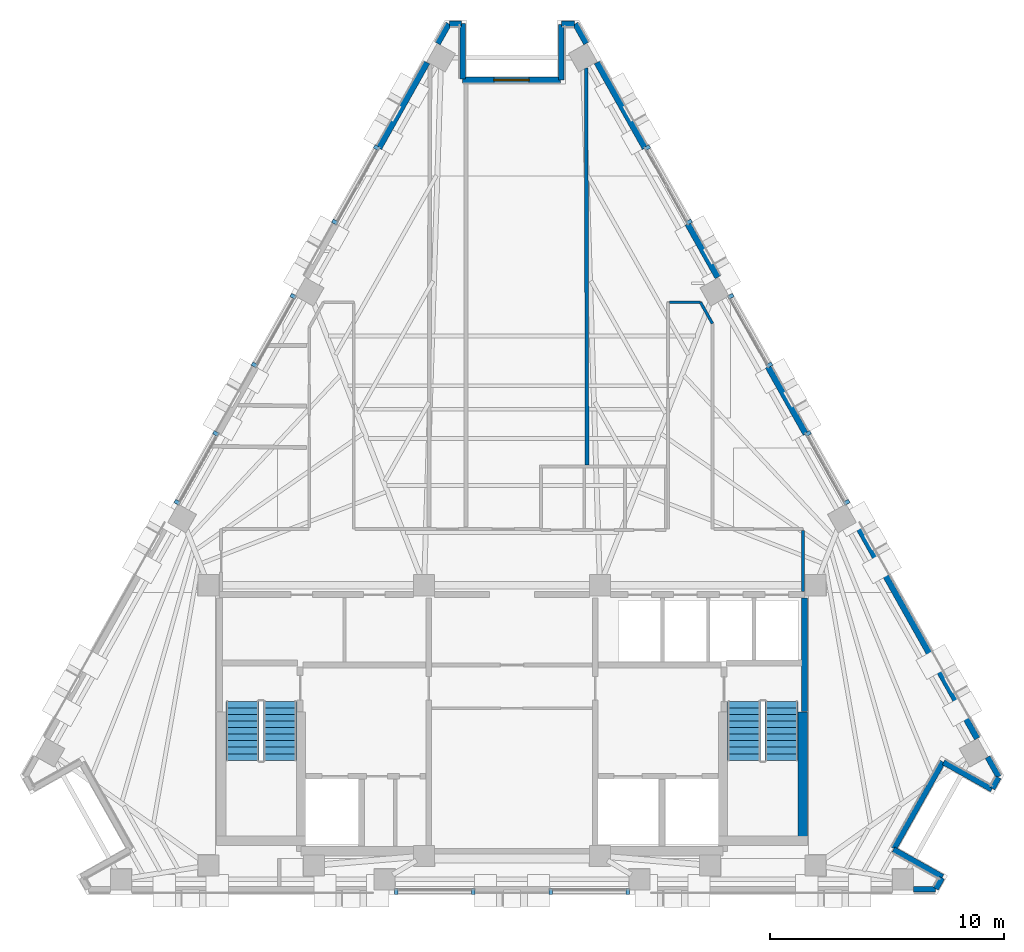
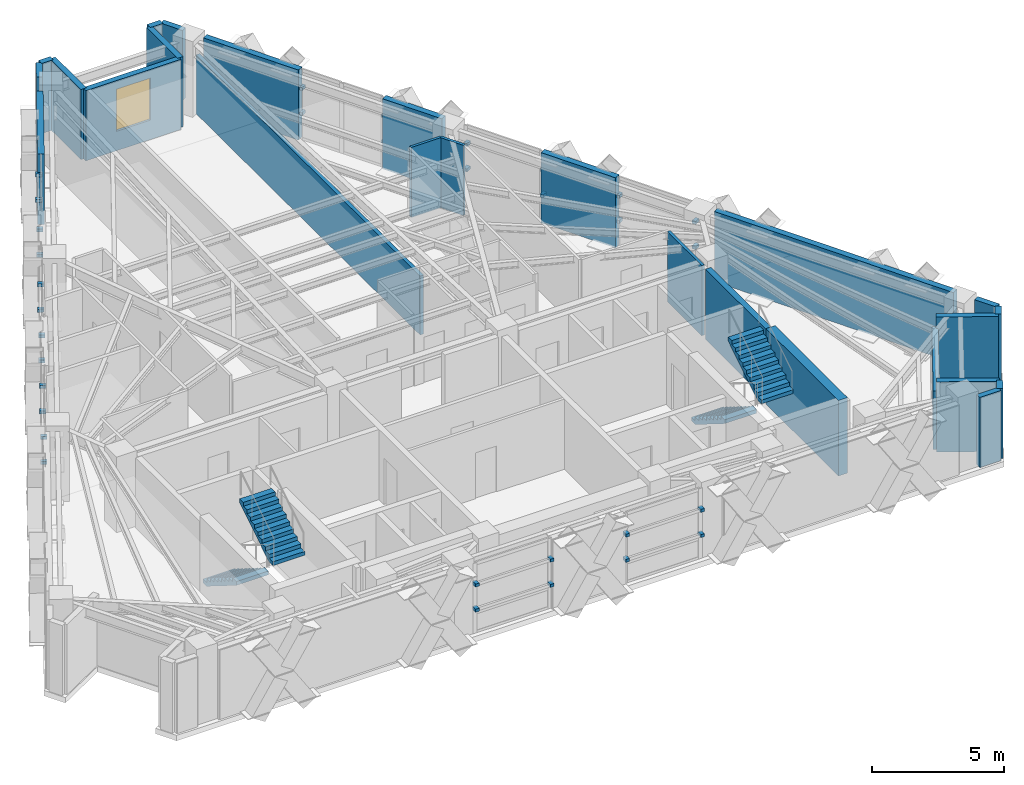
# One storey, part 9 of 12: 32 discrete accessories, 25 walls, 4 stair flights, 1 window, 1 opening, 2 elements without a shape of their own.
"""IFC4 building model written with IfcOpenShell, lengths in metres."""

from ifc_helpers import new_model, si_unit, direction, frame, frame_2d, origin, origin_2d, place, context, subcontext, project, spatial, polyline, rectangle, outline, extrude, material, layer, layer_set, type_object, element, fill, aggregate, save


model = new_model("IFC4")

# Units and contexts
model_context = context("Model", 3, precision=1e-05, world=origin(), true_north=direction((0.0, 1.0)))
body_context = subcontext(model_context, "Body", "Model", "MODEL_VIEW")
ifc_project = project(units=[si_unit("LENGTHUNIT", "METRE"), si_unit("AREAUNIT", "SQUARE_METRE"), si_unit("VOLUMEUNIT", "CUBIC_METRE"), si_unit("PLANEANGLEUNIT", "RADIAN"), si_unit("MASSUNIT", "GRAM", prefix="KILO")], contexts=[model_context])

# Site, building, storey
site_placement = place(None, origin())
site = spatial("IfcSite", under=ifc_project, at=site_placement, CompositionType="ELEMENT")
building_placement = place(site_placement, origin())
building = spatial("IfcBuilding", under=site, at=building_placement, Name="Quenlor Broadcast Tower", CompositionType="ELEMENT")
storey_placement = place(building_placement, frame((0.0, 0.0, 204.39990234375)))
storey = spatial("IfcBuildingStorey", under=building, at=storey_placement, Name="L56", CompositionType="ELEMENT", Elevation=204.39990234375)

# Walls
ifc_material_1 = material(Name="Concrete C50/60", Category="concrete")
ifc_layer_1 = layer(ifc_material_1, 0.39990234375)
ifc_layer_set_1 = layer_set([ifc_layer_1], Name="Core Concrete C50/60 Shear Wall 400")
wall_type_1 = type_object("IfcWallType", Name="Core Concrete C50/60 Shear Wall 400", PredefinedType="SHEAR", material=ifc_layer_set_1)
wall_1_placement = place(storey_placement, frame((12.39990234375, -15.699951171875, 0.0), z_axis=(0.0, 0.0, 1.0), x_axis=(0.0, 1.0, 0.0)))
element("IfcWall", 1, at=wall_1_placement, inside=storey, type_object=wall_type_1, Name="L56 Core Shear Wall WF-E", PredefinedType="SHEAR", context=body_context, shape_type="SweptSolid", body=[
    extrude(rectangle(XDim=5.5, YDim=0.39990234375, at=frame_2d((2.75, 0.0))), origin(), (0.0, 0.0, 1.0), 3.5),
])
ifc_material_2 = material(Name="Concrete C40/50", Category="concrete")
ifc_layer_2 = layer(ifc_material_2, 0.25)
ifc_layer_set_2 = layer_set([ifc_layer_2], Name="Fire Rated Concrete C40/50 Core Wall 250")
wall_type_2 = type_object("IfcWallType", Name="Fire Rated Concrete C40/50 Core Wall 250", PredefinedType="PARTITIONING", material=ifc_layer_set_2)
wall_2_placement = place(storey_placement, frame((12.47998046875, -10.179931640625, 0.0), z_axis=(0.0, 0.0, 1.0), x_axis=(0.0, 1.0, 0.0)))
element("IfcWall", 2, at=wall_2_placement, inside=storey, type_object=wall_type_2, Name="L56 Interior Wall CW-ST2-E2", PredefinedType="PARTITIONING", context=body_context, shape_type="SweptSolid", body=[
    extrude(rectangle(XDim=4.83984375, YDim=0.25, at=frame_2d((2.419921875, 0.0))), origin(), (0.0, 0.0, 1.0), 3.25),
])
ifc_material_3 = material(Name="Gypsum Fireboard Partition", Category="other")
ifc_layer_3 = layer(ifc_material_3, 0.159912109375)
ifc_layer_set_3 = layer_set([ifc_layer_3], Name="Fire Rated Shaft and Corridor Partition 160")
wall_type_3 = type_object("IfcWallType", Name="Fire Rated Shaft and Corridor Partition 160", PredefinedType="PARTITIONING", material=ifc_layer_set_3)
wall_3_placement = place(storey_placement, frame((3.162109375, 17.265380859375, 0.0), z_axis=(0.0, 0.0, 1.0), x_axis=(0.00221901471, -0.999997537984, 0.0)))
element("IfcWall", 3, at=wall_3_placement, inside=storey, type_object=wall_type_3, Name="L56 Interior Wall PW-DV-03", PredefinedType="PARTITIONING", context=body_context, shape_type="SweptSolid", body=[
    extrude(rectangle(XDim=16.943359375, YDim=0.159912109375, at=frame_2d((8.4716796875, 0.0))), origin(), (0.0, 0.0, 1.0), 2.721923828125),
])
ifc_material_4 = material(Name="Gypsum Plasterboard Partition", Category="other")
ifc_layer_4 = layer(ifc_material_4, 0.1201171875)
ifc_layer_set_4 = layer_set([ifc_layer_4], Name="Standard Office Partition 120")
wall_type_4 = type_object("IfcWallType", Name="Standard Office Partition 120", PredefinedType="PARTITIONING", material=ifc_layer_set_4)
wall_4_placement = place(storey_placement, frame((6.7119140625, 7.27001953125, 0.0), z_axis=(0.0, 0.0, 1.0), x_axis=(1.0, 0.0, 0.0)))
element("IfcWall", 4, at=wall_4_placement, inside=storey, type_object=wall_type_4, Name="L56 Interior Wall PW-CR-09", PredefinedType="PARTITIONING", context=body_context, shape_type="SweptSolid", body=[
    extrude(rectangle(XDim=1.328857421875, YDim=0.1201171875, at=frame_2d((0.66455078125, 0.0))), origin(), (0.0, 0.0, 1.0), 3.25),
])
wall_5_placement = place(storey_placement, frame((8.042724609375, 7.266357421875, 0.0), z_axis=(0.0, 0.0, 1.0), x_axis=(0.490384481046, -0.871506202359, 0.0)))
element("IfcWall", 5, at=wall_5_placement, inside=storey, type_object=wall_type_4, Name="L56 Interior Wall PW-CR-10", PredefinedType="PARTITIONING", context=body_context, shape_type="SweptSolid", body=[
    extrude(rectangle(XDim=1.034423828125, YDim=0.1201171875, at=frame_2d((0.51708984375, 0.0))), origin(), (0.0, 0.0, 1.0), 3.25),
])
wall_6_placement = place(storey_placement, frame((12.409912109375, -2.4619140625, 0.0), z_axis=(0.0, 0.0, 1.0), x_axis=(0.0, -1.0, 0.0)))
element("IfcWall", 6, at=wall_6_placement, inside=storey, type_object=wall_type_4, Name="L56 Interior Wall PW-CR-13", PredefinedType="PARTITIONING", context=body_context, shape_type="SweptSolid", body=[
    extrude(rectangle(XDim=2.611083984375, YDim=0.1201171875, at=frame_2d((1.3056640625, 0.0))), origin(), (0.0, 0.0, 1.0), 3.25),
])
ifc_material_5 = material(Name="Precast concrete C40/50", Category="concrete")
ifc_layer_5 = layer(ifc_material_5, 0.239990234375)
ifc_layer_set_5 = layer_set([ifc_layer_5], Name="Terrace Threshold Precast Concrete C40/50 Wall 240")
wall_type_5 = type_object("IfcWallType", Name="Terrace Threshold Precast Concrete C40/50 Wall 240", PredefinedType="STANDARD", material=ifc_layer_set_5)
wall_7_placement = place(storey_placement, frame((18.06591796875, -17.77490234375, 0.0), z_axis=(0.0, 0.0, 1.0), x_axis=(-1.0, 0.0, 0.0)))
element("IfcWall", 7, at=wall_7_placement, inside=storey, type_object=wall_type_5, Name="L56 Exterior Wall L56-SHD-SS0", PredefinedType="STANDARD", context=body_context, shape_type="SweptSolid", body=[
    extrude(rectangle(XDim=0.93505859375, YDim=0.239990234375, at=frame_2d((0.467529296875, 0.0))), origin(), (0.0, 0.0, 1.0), 3.25),
])
for number, where, z_axis, x_axis, name in (
    (8, (2.6953125, 19.1494140625, 0.0), (0.0, 0.0, 1.0), (0.490345412687, -0.87152818443, 0.0), "L56 Exterior Wall L56-SHD-NES0"),
    (9, (20.289794921875, -12.1298828125, 0.0), (0.0, 0.0, 1.0), (0.490345412687, -0.87152818443, 0.0), "L56 Exterior Wall L56-SHD-NES1"),
    (10, (-3.16796875, 18.309326171875, 0.0), (0.0, 0.0, 1.0), (0.490345412687, 0.87152818443, 0.0), "L56 Exterior Wall L56-SHD-NWS1"),
):
    element("IfcWall", number, at=place(storey_placement, frame(where, z_axis=z_axis, x_axis=x_axis)), inside=storey, type_object=wall_type_5, Name=name, PredefinedType="STANDARD", context=body_context, shape_type="SweptSolid", body=[
        extrude(rectangle(XDim=0.9638671875, YDim=0.239990234375, at=frame_2d((0.48193359375, 0.0))), origin(), (0.0, 0.0, 1.0), 3.25),
    ])
wall_8_placement = place(storey_placement, frame((18.365966796875, -17.246826171875, 0.0), z_axis=(0.0, 0.0, 1.0), x_axis=(-0.871597270235, 0.490222600988, 0.0)))
element("IfcWall", 11, at=wall_8_placement, inside=storey, type_object=wall_type_5, Name="L56 Exterior Wall L56-CNR-01", PredefinedType="STANDARD", context=body_context, shape_type="SweptSolid", body=[
    extrude(rectangle(XDim=2.39990234375, YDim=0.239990234375, at=frame_2d((1.199951171875, 0.0))), origin(), (0.0, 0.0, 1.0), 3.25),
])
wall_9_placement = place(storey_placement, frame((16.293701171875, -16.035400390625, 0.0), z_axis=(0.0, 0.0, 1.0), x_axis=(0.49027487746, 0.871567865706, 0.0)))
element("IfcWall", 12, at=wall_9_placement, inside=storey, type_object=wall_type_5, Name="L56 Exterior Wall L56-CNR-02", PredefinedType="STANDARD", context=body_context, shape_type="SweptSolid", body=[
    extrude(rectangle(XDim=4.249755859375, YDim=0.239990234375, at=frame_2d((2.125, 0.0))), origin(), (0.0, 0.0, 1.0), 2.721923828125),
])
wall_10_placement = place(storey_placement, frame((18.412109375, -12.351318359375, 0.0), z_axis=(0.0, 0.0, 1.0), x_axis=(0.871578299909, -0.490256327984, 0.0)))
element("IfcWall", 13, at=wall_10_placement, inside=storey, type_object=wall_type_5, Name="L56 Exterior Wall L56-CNR-03", PredefinedType="STANDARD", context=body_context, shape_type="SweptSolid", body=[
    extrude(rectangle(XDim=2.35986328125, YDim=0.239990234375, at=frame_2d((1.179931640625, 0.0))), origin(), (0.0, 0.0, 1.0), 3.25),
])
wall_11_placement = place(storey_placement, frame((20.48876953125, -13.473388671875, 0.0), z_axis=(0.0, 0.0, 1.0), x_axis=(0.490133374867, 0.87164744871, 0.0)))
element("IfcWall", 14, at=wall_11_placement, inside=storey, type_object=wall_type_5, Name="L56 Exterior Wall L56-CNR-04", PredefinedType="STANDARD", context=body_context, shape_type="SweptSolid", body=[
    extrude(rectangle(XDim=0.5439453125, YDim=0.239990234375, at=frame_2d((0.27197265625, 0.0))), origin(), (0.0, 0.0, 1.0), 3.25),
])
wall_12_placement = place(storey_placement, frame((2.658447265625, 19.152099609375, 0.0), z_axis=(0.0, 0.0, 1.0), x_axis=(-1.0, 0.0, 0.0)))
element("IfcWall", 15, at=wall_12_placement, inside=storey, type_object=wall_type_5, Name="L56 Exterior Wall L56-CNR-06", PredefinedType="STANDARD", context=body_context, shape_type="SweptSolid", body=[
    extrude(rectangle(XDim=0.55224609375, YDim=0.239990234375, at=frame_2d((0.276123046875, 0.0))), origin(), (0.0, 0.0, 1.0), 3.25),
])
wall_13_placement = place(storey_placement, frame((2.106201171875, 19.112060546875, 0.0), z_axis=(0.0, 0.0, 1.0), x_axis=(0.0, -1.0, 0.0)))
element("IfcWall", 16, at=wall_13_placement, inside=storey, type_object=wall_type_5, Name="L56 Exterior Wall L56-CNR-07", PredefinedType="STANDARD", context=body_context, shape_type="SweptSolid", body=[
    extrude(rectangle(XDim=2.360107421875, YDim=0.239990234375, at=frame_2d((1.18017578125, 0.0))), origin(), (0.0, 0.0, 1.0), 3.25),
])

# Wall, opening, window
wall_14_placement = place(storey_placement, frame((2.066162109375, 16.751953125, 0.0), z_axis=(0.0, 0.0, 1.0), x_axis=(-1.0, 0.0, 0.0)))
wall_14 = element("IfcWall", 17, at=wall_14_placement, inside=storey, type_object=wall_type_5, Name="L56 Exterior Wall L56-CNR-08", PredefinedType="STANDARD", context=body_context, shape_type="SweptSolid", body=[
    extrude(rectangle(XDim=4.17236328125, YDim=0.239990234375, at=frame_2d((2.086181640625, 0.0))), origin(), (0.0, 0.0, 1.0), 3.25),
])
opening_placement = place(wall_14_placement, frame((1.3359375, 0.0, 0.89990234375)))
opening = element("IfcOpeningElement", 18, at=opening_placement, cuts=wall_14, Name="Opening WN-3", PredefinedType="OPENING", context=body_context, shape_type="SweptSolid", body=[
    extrude(rectangle(XDim=1.5, YDim=1.949951171875, at=frame_2d((0.75, 0.97509765625))), frame((0.0, 0.1298828125, 0.0), z_axis=(0.0, -1.0, 0.0), x_axis=(1.0, 0.0, 0.0)), (0.0, 0.0, 1.0), 0.260009765625),
])
ifc_material_6 = material(Name="Thermally Broken Aluminium and Low-E Glass", Category="aluminium")
window_type = type_object("IfcWindowType", Name="Upper Tower Facade Window 1500x1950", PartitioningType="SINGLE_PANEL", PredefinedType="WINDOW", material=ifc_material_6)
window_placement = place(opening_placement, origin())
window = element("IfcWindow", 19, at=window_placement, inside=storey, type_object=window_type, Name="L56 Corner Chamfer Window 8", OverallHeight=1.949951171875, OverallWidth=1.5, PartitioningType="SINGLE_PANEL", PredefinedType="WINDOW", context=body_context, shape_type="SweptSolid", body=[
    extrude(rectangle(XDim=1.5, YDim=1.949951171875, at=frame_2d((0.75, 0.97509765625))), frame((0.0, 0.030029296875, 0.0), z_axis=(0.0, -1.0, 0.0), x_axis=(1.0, 0.0, 0.0)), (0.0, 0.0, 1.0), 0.06005859375),
])
fill(opening, window)

# Walls
wall_15_placement = place(storey_placement, frame((-2.106201171875, 16.7919921875, 0.0), z_axis=(0.0, 0.0, 1.0), x_axis=(0.0, 1.0, 0.0)))
element("IfcWall", 20, at=wall_15_placement, inside=storey, type_object=wall_type_5, Name="L56 Exterior Wall L56-CNR-09", PredefinedType="STANDARD", context=body_context, shape_type="SweptSolid", body=[
    extrude(rectangle(XDim=2.360107421875, YDim=0.239990234375, at=frame_2d((1.18017578125, 0.0))), origin(), (0.0, 0.0, 1.0), 3.25),
])
wall_16_placement = place(storey_placement, frame((-2.146240234375, 19.152099609375, 0.0), z_axis=(0.0, 0.0, 1.0), x_axis=(-1.0, 0.0, 0.0)))
element("IfcWall", 21, at=wall_16_placement, inside=storey, type_object=wall_type_5, Name="L56 Exterior Wall L56-CNR-10", PredefinedType="STANDARD", context=body_context, shape_type="SweptSolid", body=[
    extrude(rectangle(XDim=0.51220703125, YDim=0.239990234375, at=frame_2d((0.256103515625, 0.0))), origin(), (0.0, 0.0, 1.0), 3.25),
])
wall_17_placement = place(storey_placement, frame((18.081298828125, -17.752685546875, 0.0), z_axis=(0.0, 0.0, 1.0), x_axis=(0.490582915772, 0.871394516136, 0.0)))
element("IfcWall", 22, at=wall_17_placement, inside=storey, type_object=wall_type_5, Name="L56 Exterior Wall L56-CNR-18", PredefinedType="STANDARD", context=body_context, shape_type="SweptSolid", body=[
    extrude(rectangle(XDim=0.54052734375, YDim=0.239990234375, at=frame_2d((0.270263671875, 0.0))), origin(), (0.0, 0.0, 1.0), 3.25),
])
ifc_material_7 = material(Name="Precast concrete C40/50", Category="concrete")
ifc_layer_6 = layer(ifc_material_7, 0.260009765625)
ifc_layer_set_6 = layer_set([ifc_layer_6], Name="Terracotta Precast Concrete C40/50 Upper Wall 260")
wall_type_6 = type_object("IfcWallType", Name="Terracotta Precast Concrete C40/50 Upper Wall 260", PredefinedType="STANDARD", material=ifc_layer_set_6)
wall_18_placement = place(storey_placement, frame((3.623779296875, 17.498779296875, 0.0), z_axis=(0.0, 0.0, 1.0), x_axis=(0.490275081837, -0.87156775074, 0.0)))
element("IfcWall", 23, at=wall_18_placement, inside=storey, type_object=wall_type_6, Name="L56 Exterior Wall L56-NEA-SP1", PredefinedType="STANDARD", context=body_context, shape_type="SweptSolid", body=[
    extrude(rectangle(XDim=4.18701171875, YDim=0.260009765625, at=frame_2d((2.093505859375, 0.0))), origin(), (0.0, 0.0, 1.0), 3.25),
])
wall_19_placement = place(storey_placement, frame((7.493896484375, 10.618408203125, 0.0), z_axis=(0.0, 0.0, 1.0), x_axis=(0.490301099378, -0.871553114818, 0.0)))
element("IfcWall", 24, at=wall_19_placement, inside=storey, type_object=wall_type_6, Name="L56 Exterior Wall L56-NEA-SP2", PredefinedType="STANDARD", context=body_context, shape_type="SweptSolid", body=[
    extrude(rectangle(XDim=2.6171875, YDim=0.260009765625, at=frame_2d((1.30859375, 0.0))), origin(), (0.0, 0.0, 1.0), 3.25),
])
wall_20_placement = place(storey_placement, frame((14.6708984375, -2.140380859375, 0.0), z_axis=(0.0, 0.0, 1.0), x_axis=(0.490246958575, -0.871583570066, 0.0)))
element("IfcWall", 25, at=wall_20_placement, inside=storey, type_object=wall_type_6, Name="L56 Exterior Wall L56-EW-NEC", PredefinedType="STANDARD", context=body_context, shape_type="SweptSolid", body=[
    extrude(rectangle(XDim=10.551513671875, YDim=0.260009765625, at=frame_2d((5.27587890625, 0.0))), origin(), (0.0, 0.0, 1.0), 3.25),
])
wall_21_placement = place(storey_placement, frame((10.923095703125, 4.522216796875, 0.0), z_axis=(0.0, 0.0, 1.0), x_axis=(0.490264765862, -0.871573553611, 0.0)))
element("IfcWall", 26, at=wall_21_placement, inside=storey, type_object=wall_type_6, Name="L56 Exterior Wall L56-NE-SP1", PredefinedType="STANDARD", context=body_context, shape_type="SweptSolid", body=[
    extrude(rectangle(XDim=3.287109375, YDim=0.260009765625, at=frame_2d((1.6435546875, 0.0))), origin(), (0.0, 0.0, 1.0), 3.25),
])
wall_22_placement = place(storey_placement, frame((-5.676513671875, 13.849609375, 0.0), z_axis=(0.0, 0.0, 1.0), x_axis=(0.490275081837, 0.87156775074, 0.0)))
element("IfcWall", 27, at=wall_22_placement, inside=storey, type_object=wall_type_6, Name="L56 Exterior Wall L56-NWC-SP2", PredefinedType="STANDARD", context=body_context, shape_type="SweptSolid", body=[
    extrude(rectangle(XDim=4.18701171875, YDim=0.260009765625, at=frame_2d((2.093505859375, 0.0))), origin(), (0.0, 0.0, 1.0), 3.25),
])

# Stair, stair flights
ifc_material_8 = material(Name="Precast concrete C40/50", Category="concrete")
stair_type = type_object("IfcStairType", Name="Precast Concrete C40/50 Dogleg Stair H350", PredefinedType="HALF_TURN_STAIR", material=ifc_material_8)
stair_1_placement = place(storey_placement, origin())
stair_1 = element("IfcStair", 28, at=stair_1_placement, inside=storey, type_object=stair_type, Name="L56 West Core Fire-Isolated Exit Stair ST-1", PredefinedType="HALF_TURN_STAIR")
ifc_material_9 = material(Name="Precast concrete C40/50", Category="concrete")
ifc_layer_7 = layer(ifc_material_9, 0.159912109375)
ifc_layer_set_7 = layer_set([ifc_layer_7], Name="Precast Concrete C40/50 Stair Flight H350")
stair_flight_type = type_object("IfcStairFlightType", Name="Precast Concrete C40/50 Stair Flight H350", PredefinedType="STRAIGHT", material=ifc_layer_set_7)
stair_flight_1_placement = place(storey_placement, frame((-11.5, -9.75, 0.0), z_axis=(0.0, 0.0, 1.0), x_axis=(0.0, -1.0, 0.0)))
stair_flight_1 = element("IfcStairFlight", 29, at=stair_flight_1_placement, type_object=stair_flight_type, Name="ST-1 flight 1", NumberOfRisers=10, NumberOfTreads=9, PredefinedType="STRAIGHT", RiserHeight=0.175, TreadLength=0.28, context=body_context, shape_type="SweptSolid", body=[
    extrude(outline(polyline([(0.0, 0.0), (0.0, 0.175048828125), (0.280029296875, 0.175048828125), (0.280029296875, 0.35009765625), (0.56005859375, 0.35009765625), (0.56005859375, 0.52490234375), (0.840087890625, 0.52490234375), (0.840087890625, 0.699951171875), (1.1201171875, 0.699951171875), (1.1201171875, 0.875), (1.39990234375, 0.875), (1.39990234375, 1.050048828125), (1.679931640625, 1.050048828125), (1.679931640625, 1.22509765625), (1.9599609375, 1.22509765625), (1.9599609375, 1.39990234375), (2.239990234375, 1.39990234375), (2.239990234375, 1.574951171875), (2.52001953125, 1.574951171875), (2.52001953125, 1.75), (2.52001953125, 1.398193359375), (0.28271484375, 0.0), (0.0, 0.0)])), frame((0.0, 0.699951171875, 0.0), z_axis=(0.0, -1.0, 0.0), x_axis=(1.0, 0.0, 0.0)), (0.0, 0.0, 1.0), 1.39990234375),
])
stair_flight_2_placement = place(storey_placement, frame((-9.89990234375, -12.27001953125, 1.75), z_axis=(0.0, 0.0, 1.0), x_axis=(0.0, 1.0, 0.0)))
stair_flight_2 = element("IfcStairFlight", 30, at=stair_flight_2_placement, type_object=stair_flight_type, Name="ST-1 flight 2", NumberOfRisers=10, NumberOfTreads=9, PredefinedType="STRAIGHT", RiserHeight=0.175, TreadLength=0.28, context=body_context, shape_type="SweptSolid", body=[
    extrude(outline(polyline([(0.0, 0.0), (0.0, 0.175048828125), (0.280029296875, 0.175048828125), (0.280029296875, 0.35009765625), (0.56005859375, 0.35009765625), (0.56005859375, 0.52490234375), (0.840087890625, 0.52490234375), (0.840087890625, 0.699951171875), (1.1201171875, 0.699951171875), (1.1201171875, 0.875), (1.39990234375, 0.875), (1.39990234375, 1.050048828125), (1.679931640625, 1.050048828125), (1.679931640625, 1.22509765625), (1.9599609375, 1.22509765625), (1.9599609375, 1.39990234375), (2.239990234375, 1.39990234375), (2.239990234375, 1.574951171875), (2.52001953125, 1.574951171875), (2.52001953125, 1.75), (2.52001953125, 1.398193359375), (0.28271484375, 0.0), (0.0, 0.0)])), frame((0.0, 0.699951171875, 0.0), z_axis=(0.0, -1.0, 0.0), x_axis=(1.0, 0.0, 0.0)), (0.0, 0.0, 1.0), 1.39990234375),
])
aggregate(stair_1, [stair_flight_1, stair_flight_2])

stair_2_placement = place(storey_placement, origin())
stair_2 = element("IfcStair", 31, at=stair_2_placement, inside=storey, type_object=stair_type, Name="L56 East Core Fire-Isolated Exit Stair ST-2", PredefinedType="HALF_TURN_STAIR")
stair_flight_3_placement = place(storey_placement, frame((9.89990234375, -9.75, 0.0), z_axis=(0.0, 0.0, 1.0), x_axis=(0.0, -1.0, 0.0)))
stair_flight_3 = element("IfcStairFlight", 32, at=stair_flight_3_placement, type_object=stair_flight_type, Name="ST-2 flight 1", NumberOfRisers=10, NumberOfTreads=9, PredefinedType="STRAIGHT", RiserHeight=0.175, TreadLength=0.28, context=body_context, shape_type="SweptSolid", body=[
    extrude(outline(polyline([(0.0, 0.0), (0.0, 0.175048828125), (0.280029296875, 0.175048828125), (0.280029296875, 0.35009765625), (0.56005859375, 0.35009765625), (0.56005859375, 0.52490234375), (0.840087890625, 0.52490234375), (0.840087890625, 0.699951171875), (1.1201171875, 0.699951171875), (1.1201171875, 0.875), (1.39990234375, 0.875), (1.39990234375, 1.050048828125), (1.679931640625, 1.050048828125), (1.679931640625, 1.22509765625), (1.9599609375, 1.22509765625), (1.9599609375, 1.39990234375), (2.239990234375, 1.39990234375), (2.239990234375, 1.574951171875), (2.52001953125, 1.574951171875), (2.52001953125, 1.75), (2.52001953125, 1.398193359375), (0.28271484375, 0.0), (0.0, 0.0)])), frame((0.0, 0.699951171875, 0.0), z_axis=(0.0, -1.0, 0.0), x_axis=(1.0, 0.0, 0.0)), (0.0, 0.0, 1.0), 1.39990234375),
])
stair_flight_4_placement = place(storey_placement, frame((11.5, -12.27001953125, 1.75), z_axis=(0.0, 0.0, 1.0), x_axis=(0.0, 1.0, 0.0)))
stair_flight_4 = element("IfcStairFlight", 33, at=stair_flight_4_placement, type_object=stair_flight_type, Name="ST-2 flight 2", NumberOfRisers=10, NumberOfTreads=9, PredefinedType="STRAIGHT", RiserHeight=0.175, TreadLength=0.28, context=body_context, shape_type="SweptSolid", body=[
    extrude(outline(polyline([(0.0, 0.0), (0.0, 0.175048828125), (0.280029296875, 0.175048828125), (0.280029296875, 0.35009765625), (0.56005859375, 0.35009765625), (0.56005859375, 0.52490234375), (0.840087890625, 0.52490234375), (0.840087890625, 0.699951171875), (1.1201171875, 0.699951171875), (1.1201171875, 0.875), (1.39990234375, 0.875), (1.39990234375, 1.050048828125), (1.679931640625, 1.050048828125), (1.679931640625, 1.22509765625), (1.9599609375, 1.22509765625), (1.9599609375, 1.39990234375), (2.239990234375, 1.39990234375), (2.239990234375, 1.574951171875), (2.52001953125, 1.574951171875), (2.52001953125, 1.75), (2.52001953125, 1.398193359375), (0.28271484375, 0.0), (0.0, 0.0)])), frame((0.0, 0.699951171875, 0.0), z_axis=(0.0, -1.0, 0.0), x_axis=(1.0, 0.0, 0.0)), (0.0, 0.0, 1.0), 1.39990234375),
])
aggregate(stair_2, [stair_flight_3, stair_flight_4])

# Discrete accessories
ifc_material_10 = material(Name="Aluminium 6063-T6", Category="aluminium")
discrete_accessory_type = type_object("IfcDiscreteAccessoryType", Name="Stainless Mullion Baguette Support Bracket", PredefinedType="BRACKET", material=ifc_material_10)
for number, where, z_axis, x_axis, name in (
    (34, (4.933837890625, -17.864990234375, 1.10009765625), (0.0, 0.0, 1.0), (-1.0, 0.0, 0.0), "L56 Baguette Mullion Bracket 1.1"),
    (35, (1.655029296875, -17.864990234375, 1.10009765625), (0.0, 0.0, 1.0), (-1.0, 0.0, 0.0), "L56 Baguette Mullion Bracket 1.2"),
    (36, (4.933837890625, -17.864990234375, 2.27001953125), (0.0, 0.0, 1.0), (-1.0, 0.0, 0.0), "L56 Baguette Mullion Bracket 2.1"),
    (37, (1.655029296875, -17.864990234375, 2.27001953125), (0.0, 0.0, 1.0), (-1.0, 0.0, 0.0), "L56 Baguette Mullion Bracket 2.2"),
    (38, (-1.655029296875, -17.864990234375, 1.10009765625), (0.0, 0.0, 1.0), (-1.0, 0.0, 0.0), "L56 Baguette Mullion Bracket 1.1"),
    (39, (-4.933837890625, -17.864990234375, 1.10009765625), (0.0, 0.0, 1.0), (-1.0, 0.0, 0.0), "L56 Baguette Mullion Bracket 1.2"),
    (40, (-1.655029296875, -17.864990234375, 2.27001953125), (0.0, 0.0, 1.0), (-1.0, 0.0, 0.0), "L56 Baguette Mullion Bracket 2.1"),
    (41, (-4.933837890625, -17.864990234375, 2.27001953125), (0.0, 0.0, 1.0), (-1.0, 0.0, 0.0), "L56 Baguette Mullion Bracket 2.2"),
    (42, (5.771484375, 13.864013671875, 1.10009765625), (0.0, 0.0, 1.0), (0.490260425147, -0.871575995272, 0.0), "L56 Baguette Mullion Bracket 1.1"),
    (43, (7.555908203125, 10.692138671875, 1.10009765625), (0.0, 0.0, 1.0), (0.490260425147, -0.871575995272, 0.0), "L56 Baguette Mullion Bracket 1.2"),
    (44, (5.771484375, 13.864013671875, 2.27001953125), (0.0, 0.0, 1.0), (0.490260425147, -0.871575995272, 0.0), "L56 Baguette Mullion Bracket 2.1"),
    (45, (7.555908203125, 10.692138671875, 2.27001953125), (0.0, 0.0, 1.0), (0.490260425147, -0.871575995272, 0.0), "L56 Baguette Mullion Bracket 2.2"),
    (46, (9.33544921875, 7.5283203125, 1.10009765625), (0.0, 0.0, 1.0), (0.49025738277, -0.871577706599, 0.0), "L56 Baguette Mullion Bracket 1.1"),
    (47, (10.98486328125, 4.595947265625, 1.10009765625), (0.0, 0.0, 1.0), (0.49025738277, -0.871577706599, 0.0), "L56 Baguette Mullion Bracket 1.2"),
    (48, (9.33544921875, 7.5283203125, 2.27001953125), (0.0, 0.0, 1.0), (0.49025738277, -0.871577706599, 0.0), "L56 Baguette Mullion Bracket 2.1"),
    (49, (10.98486328125, 4.595947265625, 2.27001953125), (0.0, 0.0, 1.0), (0.49025738277, -0.871577706599, 0.0), "L56 Baguette Mullion Bracket 2.2"),
    (50, (12.6298828125, 1.671630859375, 1.10009765625), (0.0, 0.0, 1.0), (0.49025738277, -0.871577706599, 0.0), "L56 Baguette Mullion Bracket 1.1"),
    (51, (14.279296875, -1.260498046875, 1.10009765625), (0.0, 0.0, 1.0), (0.49025738277, -0.871577706599, 0.0), "L56 Baguette Mullion Bracket 1.2"),
    (52, (12.6298828125, 1.671630859375, 2.27001953125), (0.0, 0.0, 1.0), (0.49025738277, -0.871577706599, 0.0), "L56 Baguette Mullion Bracket 2.1"),
    (53, (14.279296875, -1.260498046875, 2.27001953125), (0.0, 0.0, 1.0), (0.49025738277, -0.871577706599, 0.0), "L56 Baguette Mullion Bracket 2.2"),
    (54, (-7.555908203125, 10.692138671875, 1.10009765625), (0.0, 0.0, 1.0), (0.490260425147, 0.871575995272, 0.0), "L56 Baguette Mullion Bracket 1.1"),
    (55, (-5.771484375, 13.864013671875, 1.10009765625), (0.0, 0.0, 1.0), (0.490260425147, 0.871575995272, 0.0), "L56 Baguette Mullion Bracket 1.2"),
    (56, (-7.555908203125, 10.692138671875, 2.27001953125), (0.0, 0.0, 1.0), (0.490260425147, 0.871575995272, 0.0), "L56 Baguette Mullion Bracket 2.1"),
    (57, (-5.771484375, 13.864013671875, 2.27001953125), (0.0, 0.0, 1.0), (0.490260425147, 0.871575995272, 0.0), "L56 Baguette Mullion Bracket 2.2"),
    (58, (-14.279296875, -1.260498046875, 1.10009765625), (0.0, 0.0, 1.0), (0.49025738277, 0.871577706599, 0.0), "L56 Baguette Mullion Bracket 1.1"),
    (59, (-12.6298828125, 1.671630859375, 1.10009765625), (0.0, 0.0, 1.0), (0.49025738277, 0.871577706599, 0.0), "L56 Baguette Mullion Bracket 1.2"),
    (60, (-14.279296875, -1.260498046875, 2.27001953125), (0.0, 0.0, 1.0), (0.49025738277, 0.871577706599, 0.0), "L56 Baguette Mullion Bracket 2.1"),
    (61, (-12.6298828125, 1.671630859375, 2.27001953125), (0.0, 0.0, 1.0), (0.49025738277, 0.871577706599, 0.0), "L56 Baguette Mullion Bracket 2.2"),
    (62, (-10.98486328125, 4.595947265625, 1.10009765625), (0.0, 0.0, 1.0), (0.49025738277, 0.871577706599, 0.0), "L56 Baguette Mullion Bracket 1.1"),
    (63, (-9.33544921875, 7.5283203125, 1.10009765625), (0.0, 0.0, 1.0), (0.49025738277, 0.871577706599, 0.0), "L56 Baguette Mullion Bracket 1.2"),
    (64, (-10.98486328125, 4.595947265625, 2.27001953125), (0.0, 0.0, 1.0), (0.49025738277, 0.871577706599, 0.0), "L56 Baguette Mullion Bracket 2.1"),
    (65, (-9.33544921875, 7.5283203125, 2.27001953125), (0.0, 0.0, 1.0), (0.49025738277, 0.871577706599, 0.0), "L56 Baguette Mullion Bracket 2.2"),
):
    element("IfcDiscreteAccessory", number, at=place(storey_placement, frame(where, z_axis=z_axis, x_axis=x_axis)), inside=storey, type_object=discrete_accessory_type, Name=name, PredefinedType="BRACKET", context=body_context, shape_type="SweptSolid", body=[
        extrude(rectangle(XDim=0.159912109375, YDim=0.239990234375, at=origin_2d()), origin(), (0.0, 0.0, 1.0), 0.139892578125),
    ])

save(model, "model.ifc")
